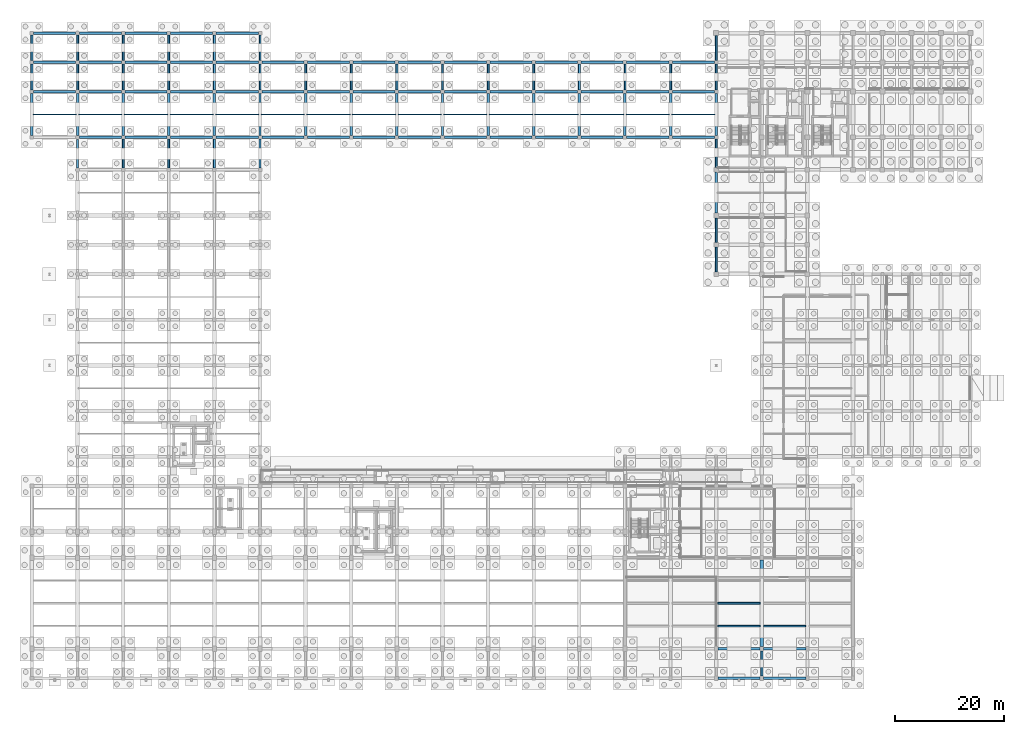
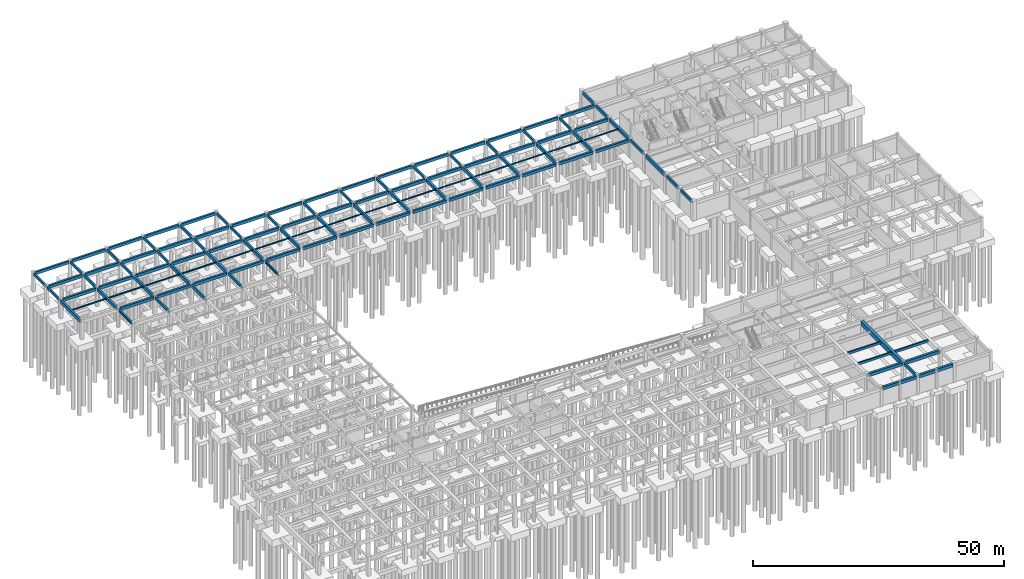
# One storey, part 29 of 49: 121 beams.
"""IFC4 building model written with IfcOpenShell, lengths in metres."""

from ifc_helpers import new_model, si_unit, direction, frame, origin, origin_2d, place, context, subcontext, project, spatial, rectangle, i_section, extrude, material, material_profile, profile_set, type_object, element, save


model = new_model("IFC4")

# Units and contexts
model_context = context("Model", 3, precision=1e-05, world=origin(), true_north=direction((0.0, 1.0)))
body_context = subcontext(model_context, "Body", "Model", "MODEL_VIEW")
ifc_project = project(units=[si_unit("LENGTHUNIT", "METRE"), si_unit("AREAUNIT", "SQUARE_METRE"), si_unit("VOLUMEUNIT", "CUBIC_METRE"), si_unit("PLANEANGLEUNIT", "RADIAN"), si_unit("MASSUNIT", "GRAM", prefix="KILO")], contexts=[model_context])

# Site, building, storey
site_placement = place(None, origin())
site = spatial("IfcSite", under=ifc_project, at=site_placement, CompositionType="ELEMENT")
building_placement = place(site_placement, origin())
building = spatial("IfcBuilding", under=site, at=building_placement, Name="Krzemoval Escarpment Law Courts", CompositionType="ELEMENT")
storey_placement = place(building_placement, frame((0.0, 0.0, -4.800048828125)))
storey = spatial("IfcBuildingStorey", under=building, at=storey_placement, Name="B1", CompositionType="ELEMENT", Elevation=-4.800048828125)

# Beams
ifc_material_1 = material(Name="Concrete C50/60", Category="concrete")
ifc_material_profile_1 = material_profile(ifc_material_1, rectangle(XDim=0.64990234375, YDim=1.14990234375, at=origin_2d()), Name="PTG 650x1150")
ifc_profile_set_1 = profile_set([ifc_material_profile_1], Name="Concrete C50/60")
beam_type_1 = type_object("IfcBeamType", Name="BM-PTG-650x1150", PredefinedType="BEAM", material=ifc_profile_set_1)
beam_1_placement = place(storey_placement, frame((134.39990234375, 5.800048828125, 3.925048828125), z_axis=(0.0, 1.0, 0.0), x_axis=(-1.0, 0.0, 0.0)))
element("IfcBeam", 1, at=beam_1_placement, inside=storey, type_object=beam_type_1, Name="Beam FG-B1-0395", PredefinedType="BEAM", context=body_context, shape_type="SweptSolid", body=[
    extrude(rectangle(XDim=0.64990234375, YDim=1.14990234375, at=origin_2d()), origin(), (0.0, 0.0, 1.0), 16.0),
])
ifc_material_2 = material(Name="Concrete C40/50", Category="concrete")
ifc_material_profile_2 = material_profile(ifc_material_2, rectangle(XDim=0.35009765625, YDim=0.64990234375, at=origin_2d()), Name="RCB 350x650")
ifc_profile_set_2 = profile_set([ifc_material_profile_2], Name="Concrete C40/50")
beam_type_2 = type_object("IfcBeamType", Name="BM-RC-350x650", PredefinedType="BEAM", material=ifc_profile_set_2)
for number, where, z_axis, x_axis, name in (
    (2, (0.0, 108.324951171875, 4.175048828125), (0.0, 1.0, 0.0), (-1.0, 0.0, 0.0), "Beam FG-B1-0244"),
    (3, (0.0, 113.72509765625, 4.175048828125), (0.0, 1.0, 0.0), (-1.0, 0.0, 0.0), "Beam FG-B1-0245"),
):
    element("IfcBeam", number, at=place(storey_placement, frame(where, z_axis=z_axis, x_axis=x_axis)), inside=storey, type_object=beam_type_2, Name=name, PredefinedType="BEAM", context=body_context, shape_type="SweptSolid", body=[
        extrude(rectangle(XDim=0.35009765625, YDim=0.64990234375, at=origin_2d()), origin(), (0.0, 0.0, 1.0), 4.75),
    ])
beam_2_placement = place(storey_placement, frame((8.39990234375, 108.375, 4.175048828125), z_axis=(0.0, 1.0, 0.0), x_axis=(-1.0, 0.0, 0.0)))
element("IfcBeam", 4, at=beam_2_placement, inside=storey, type_object=beam_type_2, Name="Beam FG-B1-0260", PredefinedType="BEAM", context=body_context, shape_type="SweptSolid", body=[
    extrude(rectangle(XDim=0.35009765625, YDim=0.64990234375, at=origin_2d()), origin(), (0.0, 0.0, 1.0), 4.64990234375),
])
beam_3_placement = place(storey_placement, frame((8.39990234375, 113.77490234375, 4.175048828125), z_axis=(0.0, 1.0, 0.0), x_axis=(-1.0, 0.0, 0.0)))
element("IfcBeam", 5, at=beam_3_placement, inside=storey, type_object=beam_type_2, Name="Beam FG-B1-0261", PredefinedType="BEAM", context=body_context, shape_type="SweptSolid", body=[
    extrude(rectangle(XDim=0.35009765625, YDim=0.64990234375, at=origin_2d()), origin(), (0.0, 0.0, 1.0), 4.650146484375),
])
beam_4_placement = place(storey_placement, frame((16.800048828125, 93.925048828125, 4.175048828125), z_axis=(0.0, 1.0, 0.0), x_axis=(-1.0, 0.0, 0.0)))
element("IfcBeam", 6, at=beam_4_placement, inside=storey, type_object=beam_type_2, Name="Beam FG-B1-0274", PredefinedType="BEAM", context=body_context, shape_type="SweptSolid", body=[
    extrude(rectangle(XDim=0.35009765625, YDim=0.64990234375, at=origin_2d()), origin(), (0.0, 0.0, 1.0), 5.349853515625),
])
for number, where, z_axis, x_axis, name in (
    (7, (16.800048828125, 108.324951171875, 4.175048828125), (0.0, 1.0, 0.0), (-1.0, 0.0, 0.0), "Beam FG-B1-0276"),
    (8, (16.800048828125, 113.72509765625, 4.175048828125), (0.0, 1.0, 0.0), (-1.0, 0.0, 0.0), "Beam FG-B1-0277"),
):
    element("IfcBeam", number, at=place(storey_placement, frame(where, z_axis=z_axis, x_axis=x_axis)), inside=storey, type_object=beam_type_2, Name=name, PredefinedType="BEAM", context=body_context, shape_type="SweptSolid", body=[
        extrude(rectangle(XDim=0.35009765625, YDim=0.64990234375, at=origin_2d()), origin(), (0.0, 0.0, 1.0), 4.75),
    ])
beam_5_placement = place(storey_placement, frame((25.199951171875, 93.925048828125, 4.175048828125), z_axis=(0.0, 1.0, 0.0), x_axis=(-1.0, 0.0, 0.0)))
element("IfcBeam", 9, at=beam_5_placement, inside=storey, type_object=beam_type_2, Name="Beam FG-B1-0290", PredefinedType="BEAM", context=body_context, shape_type="SweptSolid", body=[
    extrude(rectangle(XDim=0.35009765625, YDim=0.64990234375, at=origin_2d()), origin(), (0.0, 0.0, 1.0), 5.349853515625),
])
for number, where, z_axis, x_axis, name in (
    (10, (25.199951171875, 108.324951171875, 4.175048828125), (0.0, 1.0, 0.0), (-1.0, 0.0, 0.0), "Beam FG-B1-0292"),
    (11, (25.199951171875, 113.72509765625, 4.175048828125), (0.0, 1.0, 0.0), (-1.0, 0.0, 0.0), "Beam FG-B1-0293"),
):
    element("IfcBeam", number, at=place(storey_placement, frame(where, z_axis=z_axis, x_axis=x_axis)), inside=storey, type_object=beam_type_2, Name=name, PredefinedType="BEAM", context=body_context, shape_type="SweptSolid", body=[
        extrude(rectangle(XDim=0.35009765625, YDim=0.64990234375, at=origin_2d()), origin(), (0.0, 0.0, 1.0), 4.75),
    ])
beam_6_placement = place(storey_placement, frame((33.60009765625, 93.925048828125, 4.175048828125), z_axis=(0.0, 1.0, 0.0), x_axis=(-1.0, 0.0, 0.0)))
element("IfcBeam", 12, at=beam_6_placement, inside=storey, type_object=beam_type_2, Name="Beam FG-B1-0306", PredefinedType="BEAM", context=body_context, shape_type="SweptSolid", body=[
    extrude(rectangle(XDim=0.35009765625, YDim=0.64990234375, at=origin_2d()), origin(), (0.0, 0.0, 1.0), 5.349853515625),
])
for number, where, z_axis, x_axis, name in (
    (13, (33.60009765625, 108.324951171875, 4.175048828125), (0.0, 1.0, 0.0), (-1.0, 0.0, 0.0), "Beam FG-B1-0308"),
    (14, (33.60009765625, 113.72509765625, 4.175048828125), (0.0, 1.0, 0.0), (-1.0, 0.0, 0.0), "Beam FG-B1-0309"),
    (15, (42.0, 108.324951171875, 4.175048828125), (0.0, 1.0, 0.0), (-1.0, 0.0, 0.0), "Beam FG-B1-0324"),
    (16, (42.0, 113.72509765625, 4.175048828125), (0.0, 1.0, 0.0), (-1.0, 0.0, 0.0), "Beam FG-B1-0325"),
    (17, (50.39990234375, 108.324951171875, 4.175048828125), (0.0, 1.0, 0.0), (-1.0, 0.0, 0.0), "Beam FG-B1-0331"),
    (18, (58.800048828125, 108.324951171875, 4.175048828125), (0.0, 1.0, 0.0), (-1.0, 0.0, 0.0), "Beam FG-B1-0337"),
    (19, (67.199951171875, 108.324951171875, 4.175048828125), (0.0, 1.0, 0.0), (-1.0, 0.0, 0.0), "Beam FG-B1-0343"),
    (20, (75.60009765625, 108.324951171875, 4.175048828125), (0.0, 1.0, 0.0), (-1.0, 0.0, 0.0), "Beam FG-B1-0349"),
    (21, (84.0, 108.324951171875, 4.175048828125), (0.0, 1.0, 0.0), (-1.0, 0.0, 0.0), "Beam FG-B1-0355"),
    (22, (92.39990234375, 108.324951171875, 4.175048828125), (0.0, 1.0, 0.0), (-1.0, 0.0, 0.0), "Beam FG-B1-0361"),
    (23, (100.800048828125, 108.324951171875, 4.175048828125), (0.0, 1.0, 0.0), (-1.0, 0.0, 0.0), "Beam FG-B1-0367"),
    (24, (109.199951171875, 108.324951171875, 4.175048828125), (0.0, 1.0, 0.0), (-1.0, 0.0, 0.0), "Beam FG-B1-0374"),
    (25, (117.60009765625, 108.324951171875, 4.175048828125), (0.0, 1.0, 0.0), (-1.0, 0.0, 0.0), "Beam FG-B1-0381"),
):
    element("IfcBeam", number, at=place(storey_placement, frame(where, z_axis=z_axis, x_axis=x_axis)), inside=storey, type_object=beam_type_2, Name=name, PredefinedType="BEAM", context=body_context, shape_type="SweptSolid", body=[
        extrude(rectangle(XDim=0.35009765625, YDim=0.64990234375, at=origin_2d()), origin(), (0.0, 0.0, 1.0), 4.75),
    ])
beam_7_placement = place(storey_placement, frame((126.0, 74.824951171875, 4.175048828125), z_axis=(0.0, 1.0, 0.0), x_axis=(-1.0, 0.0, 0.0)))
element("IfcBeam", 26, at=beam_7_placement, inside=storey, type_object=beam_type_2, Name="Beam FG-B1-0387", PredefinedType="BEAM", context=body_context, shape_type="SweptSolid", body=[
    extrude(rectangle(XDim=0.35009765625, YDim=0.64990234375, at=origin_2d()), origin(), (0.0, 0.0, 1.0), 4.550048828125),
])
beam_8_placement = place(storey_placement, frame((126.0, 80.22509765625, 4.175048828125), z_axis=(0.0, 1.0, 0.0), x_axis=(-1.0, 0.0, 0.0)))
element("IfcBeam", 27, at=beam_8_placement, inside=storey, type_object=beam_type_2, Name="Beam FG-B1-0388", PredefinedType="BEAM", context=body_context, shape_type="SweptSolid", body=[
    extrude(rectangle(XDim=0.35009765625, YDim=0.64990234375, at=origin_2d()), origin(), (0.0, 0.0, 1.0), 4.5498046875),
])
beam_9_placement = place(storey_placement, frame((126.0, 94.02490234375, 4.175048828125), z_axis=(0.0, 1.0, 0.0), x_axis=(-1.0, 0.0, 0.0)))
element("IfcBeam", 28, at=beam_9_placement, inside=storey, type_object=beam_type_2, Name="Beam FG-B1-0390", PredefinedType="BEAM", context=body_context, shape_type="SweptSolid", body=[
    extrude(rectangle(XDim=0.35009765625, YDim=0.64990234375, at=origin_2d()), origin(), (0.0, 0.0, 1.0), 5.25),
])
beam_10_placement = place(storey_placement, frame((126.0, 108.324951171875, 4.175048828125), z_axis=(0.0, 1.0, 0.0), x_axis=(-1.0, 0.0, 0.0)))
element("IfcBeam", 29, at=beam_10_placement, inside=storey, type_object=beam_type_2, Name="Beam FG-B1-0392", PredefinedType="BEAM", context=body_context, shape_type="SweptSolid", body=[
    extrude(rectangle(XDim=0.35009765625, YDim=0.64990234375, at=origin_2d()), origin(), (0.0, 0.0, 1.0), 4.75),
])
beam_11_placement = place(storey_placement, frame((126.0, 113.72509765625, 4.175048828125), z_axis=(0.0, 1.0, 0.0), x_axis=(-1.0, 0.0, 0.0)))
element("IfcBeam", 30, at=beam_11_placement, inside=storey, type_object=beam_type_2, Name="Beam FG-B1-0393", PredefinedType="BEAM", context=body_context, shape_type="SweptSolid", body=[
    extrude(rectangle(XDim=0.35009765625, YDim=0.64990234375, at=origin_2d()), origin(), (0.0, 0.0, 1.0), 4.625),
])
beam_12_placement = place(storey_placement, frame((134.39990234375, 0.39990234375, 4.175048828125), z_axis=(0.0, 1.0, 0.0), x_axis=(-1.0, 0.0, 0.0)))
element("IfcBeam", 31, at=beam_12_placement, inside=storey, type_object=beam_type_2, Name="Beam FG-B1-0394", PredefinedType="BEAM", context=body_context, shape_type="SweptSolid", body=[
    extrude(rectangle(XDim=0.35009765625, YDim=0.64990234375, at=origin_2d()), origin(), (0.0, 0.0, 1.0), 4.60009765625),
])
ifc_material_3 = material(Name="Concrete C40/50", Category="concrete")
ifc_material_profile_3 = material_profile(ifc_material_3, rectangle(XDim=0.449951171875, YDim=0.699951171875, at=origin_2d()), Name="RCB 450x700")
ifc_profile_set_3 = profile_set([ifc_material_profile_3], Name="Concrete C40/50")
beam_type_3 = type_object("IfcBeamType", Name="BM-RC-450x700", PredefinedType="BEAM", material=ifc_profile_set_3)
beam_13_placement = place(storey_placement, frame((8.77490234375, 99.60009765625, 4.150146484375), z_axis=(1.0, 0.0, 0.0), x_axis=(0.0, 1.0, 0.0)))
element("IfcBeam", 32, at=beam_13_placement, inside=storey, type_object=beam_type_3, Name="Beam FG-B1-0168", PredefinedType="BEAM", context=body_context, shape_type="SweptSolid", body=[
    extrude(rectangle(XDim=0.449951171875, YDim=0.699951171875, at=origin_2d()), origin(), (0.0, 0.0, 1.0), 7.7001953125),
])
for number, where, z_axis, x_axis, name in (
    (33, (17.125, 99.60009765625, 4.150146484375), (1.0, 0.0, 0.0), (0.0, 1.0, 0.0), "Beam FG-B1-0169"),
    (34, (25.52490234375, 99.60009765625, 4.150146484375), (1.0, 0.0, 0.0), (0.0, 1.0, 0.0), "Beam FG-B1-0170"),
    (35, (33.925048828125, 99.60009765625, 4.150146484375), (1.0, 0.0, 0.0), (0.0, 1.0, 0.0), "Beam FG-B1-0171"),
    (36, (42.324951171875, 99.60009765625, 4.150146484375), (1.0, 0.0, 0.0), (0.0, 1.0, 0.0), "Beam FG-B1-0172"),
    (37, (50.72509765625, 99.60009765625, 4.150146484375), (1.0, 0.0, 0.0), (0.0, 1.0, 0.0), "Beam FG-B1-0173"),
    (38, (59.125, 99.60009765625, 4.150146484375), (1.0, 0.0, 0.0), (0.0, 1.0, 0.0), "Beam FG-B1-0174"),
    (39, (67.52490234375, 99.60009765625, 4.150146484375), (1.0, 0.0, 0.0), (0.0, 1.0, 0.0), "Beam FG-B1-0175"),
    (40, (75.925048828125, 99.60009765625, 4.150146484375), (1.0, 0.0, 0.0), (0.0, 1.0, 0.0), "Beam FG-B1-0176"),
    (41, (84.324951171875, 99.60009765625, 4.150146484375), (1.0, 0.0, 0.0), (0.0, 1.0, 0.0), "Beam FG-B1-0177"),
    (42, (92.72509765625, 99.60009765625, 4.150146484375), (1.0, 0.0, 0.0), (0.0, 1.0, 0.0), "Beam FG-B1-0178"),
    (43, (101.125, 99.60009765625, 4.150146484375), (1.0, 0.0, 0.0), (0.0, 1.0, 0.0), "Beam FG-B1-0179"),
    (44, (109.52490234375, 99.60009765625, 4.150146484375), (1.0, 0.0, 0.0), (0.0, 1.0, 0.0), "Beam FG-B1-0180"),
    (45, (117.925048828125, 99.60009765625, 4.150146484375), (1.0, 0.0, 0.0), (0.0, 1.0, 0.0), "Beam FG-B1-0181"),
):
    element("IfcBeam", number, at=place(storey_placement, frame(where, z_axis=z_axis, x_axis=x_axis)), inside=storey, type_object=beam_type_3, Name=name, PredefinedType="BEAM", context=body_context, shape_type="SweptSolid", body=[
        extrude(rectangle(XDim=0.449951171875, YDim=0.699951171875, at=origin_2d()), origin(), (0.0, 0.0, 1.0), 7.75),
    ])
beam_14_placement = place(storey_placement, frame((0.324951171875, 108.0, 4.150146484375), z_axis=(1.0, 0.0, 0.0), x_axis=(0.0, 1.0, 0.0)))
element("IfcBeam", 46, at=beam_14_placement, inside=storey, type_object=beam_type_3, Name="Beam FG-B1-0186", PredefinedType="BEAM", context=body_context, shape_type="SweptSolid", body=[
    extrude(rectangle(XDim=0.449951171875, YDim=0.699951171875, at=origin_2d()), origin(), (0.0, 0.0, 1.0), 7.699951171875),
])
beam_15_placement = place(storey_placement, frame((8.77490234375, 108.0, 4.150146484375), z_axis=(1.0, 0.0, 0.0), x_axis=(0.0, 1.0, 0.0)))
element("IfcBeam", 47, at=beam_15_placement, inside=storey, type_object=beam_type_3, Name="Beam FG-B1-0187", PredefinedType="BEAM", context=body_context, shape_type="SweptSolid", body=[
    extrude(rectangle(XDim=0.449951171875, YDim=0.699951171875, at=origin_2d()), origin(), (0.0, 0.0, 1.0), 7.7001953125),
])
for number, where, z_axis, x_axis, name in (
    (48, (17.125, 108.0, 4.150146484375), (1.0, 0.0, 0.0), (0.0, 1.0, 0.0), "Beam FG-B1-0188"),
    (49, (25.52490234375, 108.0, 4.150146484375), (1.0, 0.0, 0.0), (0.0, 1.0, 0.0), "Beam FG-B1-0189"),
    (50, (33.925048828125, 108.0, 4.150146484375), (1.0, 0.0, 0.0), (0.0, 1.0, 0.0), "Beam FG-B1-0190"),
    (51, (42.324951171875, 108.0, 4.150146484375), (1.0, 0.0, 0.0), (0.0, 1.0, 0.0), "Beam FG-B1-0191"),
    (52, (50.72509765625, 108.0, 4.150146484375), (1.0, 0.0, 0.0), (0.0, 1.0, 0.0), "Beam FG-B1-0192"),
    (53, (59.125, 108.0, 4.150146484375), (1.0, 0.0, 0.0), (0.0, 1.0, 0.0), "Beam FG-B1-0193"),
    (54, (67.52490234375, 108.0, 4.150146484375), (1.0, 0.0, 0.0), (0.0, 1.0, 0.0), "Beam FG-B1-0194"),
    (55, (75.925048828125, 108.0, 4.150146484375), (1.0, 0.0, 0.0), (0.0, 1.0, 0.0), "Beam FG-B1-0195"),
    (56, (84.324951171875, 108.0, 4.150146484375), (1.0, 0.0, 0.0), (0.0, 1.0, 0.0), "Beam FG-B1-0196"),
    (57, (92.72509765625, 108.0, 4.150146484375), (1.0, 0.0, 0.0), (0.0, 1.0, 0.0), "Beam FG-B1-0197"),
    (58, (101.125, 108.0, 4.150146484375), (1.0, 0.0, 0.0), (0.0, 1.0, 0.0), "Beam FG-B1-0198"),
    (59, (109.52490234375, 108.0, 4.150146484375), (1.0, 0.0, 0.0), (0.0, 1.0, 0.0), "Beam FG-B1-0199"),
    (60, (117.925048828125, 108.0, 4.150146484375), (1.0, 0.0, 0.0), (0.0, 1.0, 0.0), "Beam FG-B1-0200"),
):
    element("IfcBeam", number, at=place(storey_placement, frame(where, z_axis=z_axis, x_axis=x_axis)), inside=storey, type_object=beam_type_3, Name=name, PredefinedType="BEAM", context=body_context, shape_type="SweptSolid", body=[
        extrude(rectangle(XDim=0.449951171875, YDim=0.699951171875, at=origin_2d()), origin(), (0.0, 0.0, 1.0), 7.75),
    ])
beam_16_placement = place(storey_placement, frame((0.324951171875, 113.39990234375, 4.150146484375), z_axis=(1.0, 0.0, 0.0), x_axis=(0.0, 1.0, 0.0)))
element("IfcBeam", 61, at=beam_16_placement, inside=storey, type_object=beam_type_3, Name="Beam FG-B1-0205", PredefinedType="BEAM", context=body_context, shape_type="SweptSolid", body=[
    extrude(rectangle(XDim=0.449951171875, YDim=0.699951171875, at=origin_2d()), origin(), (0.0, 0.0, 1.0), 7.699951171875),
])
beam_17_placement = place(storey_placement, frame((8.77490234375, 113.39990234375, 4.150146484375), z_axis=(1.0, 0.0, 0.0), x_axis=(0.0, 1.0, 0.0)))
element("IfcBeam", 62, at=beam_17_placement, inside=storey, type_object=beam_type_3, Name="Beam FG-B1-0206", PredefinedType="BEAM", context=body_context, shape_type="SweptSolid", body=[
    extrude(rectangle(XDim=0.449951171875, YDim=0.699951171875, at=origin_2d()), origin(), (0.0, 0.0, 1.0), 7.7001953125),
])
for number, where, z_axis, x_axis, name in (
    (63, (17.125, 113.39990234375, 4.150146484375), (1.0, 0.0, 0.0), (0.0, 1.0, 0.0), "Beam FG-B1-0207"),
    (64, (25.52490234375, 113.39990234375, 4.150146484375), (1.0, 0.0, 0.0), (0.0, 1.0, 0.0), "Beam FG-B1-0208"),
    (65, (33.925048828125, 113.39990234375, 4.150146484375), (1.0, 0.0, 0.0), (0.0, 1.0, 0.0), "Beam FG-B1-0209"),
    (66, (42.324951171875, 113.39990234375, 4.150146484375), (1.0, 0.0, 0.0), (0.0, 1.0, 0.0), "Beam FG-B1-0210"),
    (67, (50.72509765625, 113.39990234375, 4.150146484375), (1.0, 0.0, 0.0), (0.0, 1.0, 0.0), "Beam FG-B1-0211"),
    (68, (59.125, 113.39990234375, 4.150146484375), (1.0, 0.0, 0.0), (0.0, 1.0, 0.0), "Beam FG-B1-0212"),
    (69, (67.52490234375, 113.39990234375, 4.150146484375), (1.0, 0.0, 0.0), (0.0, 1.0, 0.0), "Beam FG-B1-0213"),
    (70, (75.925048828125, 113.39990234375, 4.150146484375), (1.0, 0.0, 0.0), (0.0, 1.0, 0.0), "Beam FG-B1-0214"),
    (71, (84.324951171875, 113.39990234375, 4.150146484375), (1.0, 0.0, 0.0), (0.0, 1.0, 0.0), "Beam FG-B1-0215"),
    (72, (92.72509765625, 113.39990234375, 4.150146484375), (1.0, 0.0, 0.0), (0.0, 1.0, 0.0), "Beam FG-B1-0216"),
    (73, (101.125, 113.39990234375, 4.150146484375), (1.0, 0.0, 0.0), (0.0, 1.0, 0.0), "Beam FG-B1-0217"),
    (74, (109.52490234375, 113.39990234375, 4.150146484375), (1.0, 0.0, 0.0), (0.0, 1.0, 0.0), "Beam FG-B1-0218"),
    (75, (117.925048828125, 113.39990234375, 4.150146484375), (1.0, 0.0, 0.0), (0.0, 1.0, 0.0), "Beam FG-B1-0219"),
):
    element("IfcBeam", number, at=place(storey_placement, frame(where, z_axis=z_axis, x_axis=x_axis)), inside=storey, type_object=beam_type_3, Name=name, PredefinedType="BEAM", context=body_context, shape_type="SweptSolid", body=[
        extrude(rectangle(XDim=0.449951171875, YDim=0.699951171875, at=origin_2d()), origin(), (0.0, 0.0, 1.0), 7.75),
    ])
beam_18_placement = place(storey_placement, frame((0.324951171875, 118.800048828125, 4.150146484375), z_axis=(1.0, 0.0, 0.0), x_axis=(0.0, 1.0, 0.0)))
element("IfcBeam", 76, at=beam_18_placement, inside=storey, type_object=beam_type_3, Name="Beam FG-B1-0227", PredefinedType="BEAM", context=body_context, shape_type="SweptSolid", body=[
    extrude(rectangle(XDim=0.449951171875, YDim=0.699951171875, at=origin_2d()), origin(), (0.0, 0.0, 1.0), 7.699951171875),
])
beam_19_placement = place(storey_placement, frame((8.77490234375, 118.800048828125, 4.150146484375), z_axis=(1.0, 0.0, 0.0), x_axis=(0.0, 1.0, 0.0)))
element("IfcBeam", 77, at=beam_19_placement, inside=storey, type_object=beam_type_3, Name="Beam FG-B1-0228", PredefinedType="BEAM", context=body_context, shape_type="SweptSolid", body=[
    extrude(rectangle(XDim=0.449951171875, YDim=0.699951171875, at=origin_2d()), origin(), (0.0, 0.0, 1.0), 7.7001953125),
])
for number, where, z_axis, x_axis, name in (
    (78, (17.125, 118.800048828125, 4.150146484375), (1.0, 0.0, 0.0), (0.0, 1.0, 0.0), "Beam FG-B1-0229"),
    (79, (25.52490234375, 118.800048828125, 4.150146484375), (1.0, 0.0, 0.0), (0.0, 1.0, 0.0), "Beam FG-B1-0230"),
    (80, (33.925048828125, 118.800048828125, 4.150146484375), (1.0, 0.0, 0.0), (0.0, 1.0, 0.0), "Beam FG-B1-0231"),
):
    element("IfcBeam", number, at=place(storey_placement, frame(where, z_axis=z_axis, x_axis=x_axis)), inside=storey, type_object=beam_type_3, Name=name, PredefinedType="BEAM", context=body_context, shape_type="SweptSolid", body=[
        extrude(rectangle(XDim=0.449951171875, YDim=0.699951171875, at=origin_2d()), origin(), (0.0, 0.0, 1.0), 7.75),
    ])
ifc_material_4 = material(Name="Concrete C40/50", Category="concrete")
ifc_material_profile_4 = material_profile(ifc_material_4, rectangle(XDim=0.449951171875, YDim=0.800048828125, at=origin_2d()), Name="RCB 450x800")
ifc_profile_set_4 = profile_set([ifc_material_profile_4], Name="Concrete C40/50")
beam_type_4 = type_object("IfcBeamType", Name="BM-RC-450x800", PredefinedType="BEAM", material=ifc_profile_set_4)
beam_20_placement = place(storey_placement, frame((0.0, 99.925048828125, 4.10009765625), z_axis=(0.0, 1.0, 0.0), x_axis=(-1.0, 0.0, 0.0)))
element("IfcBeam", 81, at=beam_20_placement, inside=storey, type_object=beam_type_4, Name="Beam FG-B1-0243", PredefinedType="BEAM", context=body_context, shape_type="SweptSolid", body=[
    extrude(rectangle(XDim=0.449951171875, YDim=0.800048828125, at=origin_2d()), origin(), (0.0, 0.0, 1.0), 7.75),
])
beam_21_placement = place(storey_placement, frame((8.39990234375, 99.97509765625, 4.10009765625), z_axis=(0.0, 1.0, 0.0), x_axis=(-1.0, 0.0, 0.0)))
element("IfcBeam", 82, at=beam_21_placement, inside=storey, type_object=beam_type_4, Name="Beam FG-B1-0259", PredefinedType="BEAM", context=body_context, shape_type="SweptSolid", body=[
    extrude(rectangle(XDim=0.449951171875, YDim=0.800048828125, at=origin_2d()), origin(), (0.0, 0.0, 1.0), 7.64990234375),
])
for number, where, z_axis, x_axis, name in (
    (83, (16.800048828125, 99.925048828125, 4.10009765625), (0.0, 1.0, 0.0), (-1.0, 0.0, 0.0), "Beam FG-B1-0275"),
    (84, (25.199951171875, 99.925048828125, 4.10009765625), (0.0, 1.0, 0.0), (-1.0, 0.0, 0.0), "Beam FG-B1-0291"),
    (85, (33.60009765625, 99.925048828125, 4.10009765625), (0.0, 1.0, 0.0), (-1.0, 0.0, 0.0), "Beam FG-B1-0307"),
    (86, (42.0, 99.925048828125, 4.10009765625), (0.0, 1.0, 0.0), (-1.0, 0.0, 0.0), "Beam FG-B1-0323"),
    (87, (50.39990234375, 99.925048828125, 4.10009765625), (0.0, 1.0, 0.0), (-1.0, 0.0, 0.0), "Beam FG-B1-0330"),
    (88, (58.800048828125, 99.925048828125, 4.10009765625), (0.0, 1.0, 0.0), (-1.0, 0.0, 0.0), "Beam FG-B1-0336"),
    (89, (67.199951171875, 99.925048828125, 4.10009765625), (0.0, 1.0, 0.0), (-1.0, 0.0, 0.0), "Beam FG-B1-0342"),
    (90, (75.60009765625, 99.925048828125, 4.10009765625), (0.0, 1.0, 0.0), (-1.0, 0.0, 0.0), "Beam FG-B1-0348"),
    (91, (84.0, 99.925048828125, 4.10009765625), (0.0, 1.0, 0.0), (-1.0, 0.0, 0.0), "Beam FG-B1-0354"),
    (92, (92.39990234375, 99.925048828125, 4.10009765625), (0.0, 1.0, 0.0), (-1.0, 0.0, 0.0), "Beam FG-B1-0360"),
    (93, (100.800048828125, 99.925048828125, 4.10009765625), (0.0, 1.0, 0.0), (-1.0, 0.0, 0.0), "Beam FG-B1-0366"),
    (94, (109.199951171875, 99.925048828125, 4.10009765625), (0.0, 1.0, 0.0), (-1.0, 0.0, 0.0), "Beam FG-B1-0373"),
    (95, (117.60009765625, 99.925048828125, 4.10009765625), (0.0, 1.0, 0.0), (-1.0, 0.0, 0.0), "Beam FG-B1-0380"),
):
    element("IfcBeam", number, at=place(storey_placement, frame(where, z_axis=z_axis, x_axis=x_axis)), inside=storey, type_object=beam_type_4, Name=name, PredefinedType="BEAM", context=body_context, shape_type="SweptSolid", body=[
        extrude(rectangle(XDim=0.449951171875, YDim=0.800048828125, at=origin_2d()), origin(), (0.0, 0.0, 1.0), 7.75),
    ])
beam_22_placement = place(storey_placement, frame((126.0, 85.625, 4.10009765625), z_axis=(0.0, 1.0, 0.0), x_axis=(-1.0, 0.0, 0.0)))
element("IfcBeam", 96, at=beam_22_placement, inside=storey, type_object=beam_type_4, Name="Beam FG-B1-0389", PredefinedType="BEAM", context=body_context, shape_type="SweptSolid", body=[
    extrude(rectangle(XDim=0.449951171875, YDim=0.800048828125, at=origin_2d()), origin(), (0.0, 0.0, 1.0), 7.550048828125),
])
beam_23_placement = place(storey_placement, frame((126.0, 99.925048828125, 4.10009765625), z_axis=(0.0, 1.0, 0.0), x_axis=(-1.0, 0.0, 0.0)))
element("IfcBeam", 97, at=beam_23_placement, inside=storey, type_object=beam_type_4, Name="Beam FG-B1-0391", PredefinedType="BEAM", context=body_context, shape_type="SweptSolid", body=[
    extrude(rectangle(XDim=0.449951171875, YDim=0.800048828125, at=origin_2d()), origin(), (0.0, 0.0, 1.0), 7.75),
])
ifc_material_5 = material(Name="Concrete C40/50", Category="concrete")
ifc_material_profile_5 = material_profile(ifc_material_5, rectangle(XDim=0.5, YDim=0.75, at=origin_2d()), Name="RCB 500x750")
ifc_profile_set_5 = profile_set([ifc_material_profile_5], Name="Concrete C40/50")
beam_type_5 = type_object("IfcBeamType", Name="BM-RC-500x750", PredefinedType="BEAM", material=ifc_profile_set_5)
for number, where, z_axis, x_axis, name in (
    (98, (126.300048828125, 0.0, 4.125), (1.0, 0.0, 0.0), (0.0, 1.0, 0.0), "Beam FG-B1-0016"),
    (99, (134.699951171875, 0.0, 4.125), (1.0, 0.0, 0.0), (0.0, 1.0, 0.0), "Beam FG-B1-0017"),
    (100, (126.300048828125, 5.39990234375, 4.125), (1.0, 0.0, 0.0), (0.0, 1.0, 0.0), "Beam FG-B1-0034"),
    (101, (134.699951171875, 5.39990234375, 4.125), (1.0, 0.0, 0.0), (0.0, 1.0, 0.0), "Beam FG-B1-0035"),
):
    element("IfcBeam", number, at=place(storey_placement, frame(where, z_axis=z_axis, x_axis=x_axis)), inside=storey, type_object=beam_type_5, Name=name, PredefinedType="BEAM", context=body_context, shape_type="SweptSolid", body=[
        extrude(rectangle(XDim=0.5, YDim=0.75, at=origin_2d()), origin(), (0.0, 0.0, 1.0), 7.800048828125),
    ])
ifc_material_6 = material(Name="Concrete C40/50", Category="concrete")
ifc_material_profile_6 = material_profile(ifc_material_6, rectangle(XDim=0.300048828125, YDim=0.550048828125, at=origin_2d()), Name="RCB 300x550")
ifc_profile_set_6 = profile_set([ifc_material_profile_6], Name="Concrete C40/50")
beam_type_6 = type_object("IfcBeamType", Name="JST-RC-300x550", PredefinedType="JOIST", material=ifc_profile_set_6)
for number, where, z_axis, x_axis, name in (
    (102, (126.324951171875, 9.60009765625, 4.22509765625), (1.0, 0.0, 0.0), (0.0, 1.0, 0.0), "Secondary Joist FJ-B1-0565"),
    (103, (126.324951171875, 13.800048828125, 4.22509765625), (1.0, 0.0, 0.0), (0.0, 1.0, 0.0), "Secondary Joist FJ-B1-0566"),
    (104, (134.72509765625, 9.60009765625, 4.22509765625), (1.0, 0.0, 0.0), (0.0, 1.0, 0.0), "Secondary Joist FJ-B1-0570"),
):
    element("IfcBeam", number, at=place(storey_placement, frame(where, z_axis=z_axis, x_axis=x_axis)), inside=storey, type_object=beam_type_6, Name=name, PredefinedType="JOIST", context=body_context, shape_type="SweptSolid", body=[
        extrude(rectangle(XDim=0.300048828125, YDim=0.550048828125, at=origin_2d()), origin(), (0.0, 0.0, 1.0), 7.75),
    ])
ifc_material_7 = material(Name="Steel S355", Category="steel")
ifc_material_profile_7 = material_profile(ifc_material_7, i_section(OverallWidth=0.14990234375, OverallDepth=0.300048828125, WebThickness=0.007080078125, FlangeThickness=0.0107421875, at=origin_2d()), Name="IPE 300")
ifc_profile_set_7 = profile_set([ifc_material_profile_7], Name="Steel S355")
beam_type_7 = type_object("IfcBeamType", Name="JST-S355-IPE300", PredefinedType="JOIST", material=ifc_profile_set_7)
for number, where, z_axis, x_axis, name in (
    (105, (42.22509765625, 103.800048828125, 4.35009765625), (1.0, 0.0, 0.0), (0.0, 1.0, 0.0), "Secondary Joist FJ-B1-0519"),
    (106, (50.625, 103.800048828125, 4.35009765625), (1.0, 0.0, 0.0), (0.0, 1.0, 0.0), "Secondary Joist FJ-B1-0524"),
):
    element("IfcBeam", number, at=place(storey_placement, frame(where, z_axis=z_axis, x_axis=x_axis)), inside=storey, type_object=beam_type_7, Name=name, PredefinedType="JOIST", context=body_context, shape_type="SweptSolid", body=[
        extrude(i_section(OverallWidth=0.14990234375, OverallDepth=0.300048828125, WebThickness=0.007080078125, FlangeThickness=0.0107421875, at=origin_2d()), origin(), (0.0, 0.0, 1.0), 7.949951171875),
    ])
beam_24_placement = place(storey_placement, frame((59.02490234375, 103.800048828125, 4.35009765625), z_axis=(1.0, 0.0, 0.0), x_axis=(0.0, 1.0, 0.0)))
element("IfcBeam", 107, at=beam_24_placement, inside=storey, type_object=beam_type_7, Name="Secondary Joist FJ-B1-0529", PredefinedType="JOIST", context=body_context, shape_type="SweptSolid", body=[
    extrude(i_section(OverallWidth=0.14990234375, OverallDepth=0.300048828125, WebThickness=0.007080078125, FlangeThickness=0.0107421875, at=origin_2d()), origin(), (0.0, 0.0, 1.0), 7.9501953125),
])
for number, where, z_axis, x_axis, name in (
    (108, (67.425048828125, 103.800048828125, 4.35009765625), (1.0, 0.0, 0.0), (0.0, 1.0, 0.0), "Secondary Joist FJ-B1-0534"),
    (109, (75.824951171875, 103.800048828125, 4.35009765625), (1.0, 0.0, 0.0), (0.0, 1.0, 0.0), "Secondary Joist FJ-B1-0539"),
    (110, (84.22509765625, 103.800048828125, 4.35009765625), (1.0, 0.0, 0.0), (0.0, 1.0, 0.0), "Secondary Joist FJ-B1-0544"),
    (111, (92.625, 103.800048828125, 4.35009765625), (1.0, 0.0, 0.0), (0.0, 1.0, 0.0), "Secondary Joist FJ-B1-0549"),
):
    element("IfcBeam", number, at=place(storey_placement, frame(where, z_axis=z_axis, x_axis=x_axis)), inside=storey, type_object=beam_type_7, Name=name, PredefinedType="JOIST", context=body_context, shape_type="SweptSolid", body=[
        extrude(i_section(OverallWidth=0.14990234375, OverallDepth=0.300048828125, WebThickness=0.007080078125, FlangeThickness=0.0107421875, at=origin_2d()), origin(), (0.0, 0.0, 1.0), 7.949951171875),
    ])
beam_25_placement = place(storey_placement, frame((101.02490234375, 103.800048828125, 4.35009765625), z_axis=(1.0, 0.0, 0.0), x_axis=(0.0, 1.0, 0.0)))
element("IfcBeam", 112, at=beam_25_placement, inside=storey, type_object=beam_type_7, Name="Secondary Joist FJ-B1-0554", PredefinedType="JOIST", context=body_context, shape_type="SweptSolid", body=[
    extrude(i_section(OverallWidth=0.14990234375, OverallDepth=0.300048828125, WebThickness=0.007080078125, FlangeThickness=0.0107421875, at=origin_2d()), origin(), (0.0, 0.0, 1.0), 7.9501953125),
])
for number, where, z_axis, x_axis, name in (
    (113, (109.425048828125, 103.800048828125, 4.35009765625), (1.0, 0.0, 0.0), (0.0, 1.0, 0.0), "Secondary Joist FJ-B1-0559"),
    (114, (117.824951171875, 103.800048828125, 4.35009765625), (1.0, 0.0, 0.0), (0.0, 1.0, 0.0), "Secondary Joist FJ-B1-0564"),
):
    element("IfcBeam", number, at=place(storey_placement, frame(where, z_axis=z_axis, x_axis=x_axis)), inside=storey, type_object=beam_type_7, Name=name, PredefinedType="JOIST", context=body_context, shape_type="SweptSolid", body=[
        extrude(i_section(OverallWidth=0.14990234375, OverallDepth=0.300048828125, WebThickness=0.007080078125, FlangeThickness=0.0107421875, at=origin_2d()), origin(), (0.0, 0.0, 1.0), 7.949951171875),
    ])
ifc_material_8 = material(Name="Steel S355", Category="steel")
ifc_material_profile_8 = material_profile(ifc_material_8, i_section(OverallWidth=0.159912109375, OverallDepth=0.330078125, WebThickness=0.007568359375, FlangeThickness=0.011474609375, at=origin_2d()), Name="IPE 330")
ifc_profile_set_8 = profile_set([ifc_material_profile_8], Name="Steel S355")
beam_type_8 = type_object("IfcBeamType", Name="JST-S355-IPE330", PredefinedType="JOIST", material=ifc_profile_set_8)
for number, where, z_axis, x_axis, name in (
    (115, (0.22509765625, 103.800048828125, 4.3349609375), (1.0, 0.0, 0.0), (0.0, 1.0, 0.0), "Secondary Joist FJ-B1-0474"),
    (116, (8.625, 103.800048828125, 4.3349609375), (1.0, 0.0, 0.0), (0.0, 1.0, 0.0), "Secondary Joist FJ-B1-0484"),
):
    element("IfcBeam", number, at=place(storey_placement, frame(where, z_axis=z_axis, x_axis=x_axis)), inside=storey, type_object=beam_type_8, Name=name, PredefinedType="JOIST", context=body_context, shape_type="SweptSolid", body=[
        extrude(i_section(OverallWidth=0.159912109375, OverallDepth=0.330078125, WebThickness=0.007568359375, FlangeThickness=0.011474609375, at=origin_2d()), origin(), (0.0, 0.0, 1.0), 7.949951171875),
    ])
beam_26_placement = place(storey_placement, frame((17.02490234375, 103.800048828125, 4.3349609375), z_axis=(1.0, 0.0, 0.0), x_axis=(0.0, 1.0, 0.0)))
element("IfcBeam", 117, at=beam_26_placement, inside=storey, type_object=beam_type_8, Name="Secondary Joist FJ-B1-0494", PredefinedType="JOIST", context=body_context, shape_type="SweptSolid", body=[
    extrude(i_section(OverallWidth=0.159912109375, OverallDepth=0.330078125, WebThickness=0.007568359375, FlangeThickness=0.011474609375, at=origin_2d()), origin(), (0.0, 0.0, 1.0), 7.9501953125),
])
for number, where, z_axis, x_axis, name in (
    (118, (25.425048828125, 103.800048828125, 4.3349609375), (1.0, 0.0, 0.0), (0.0, 1.0, 0.0), "Secondary Joist FJ-B1-0504"),
    (119, (33.824951171875, 103.800048828125, 4.3349609375), (1.0, 0.0, 0.0), (0.0, 1.0, 0.0), "Secondary Joist FJ-B1-0514"),
):
    element("IfcBeam", number, at=place(storey_placement, frame(where, z_axis=z_axis, x_axis=x_axis)), inside=storey, type_object=beam_type_8, Name=name, PredefinedType="JOIST", context=body_context, shape_type="SweptSolid", body=[
        extrude(i_section(OverallWidth=0.159912109375, OverallDepth=0.330078125, WebThickness=0.007568359375, FlangeThickness=0.011474609375, at=origin_2d()), origin(), (0.0, 0.0, 1.0), 7.949951171875),
    ])
ifc_material_9 = material(Name="Steel S355", Category="steel")
ifc_material_profile_9 = material_profile(ifc_material_9, i_section(OverallWidth=0.300048828125, OverallDepth=0.60009765625, WebThickness=0.015380859375, FlangeThickness=0.030029296875, at=origin_2d()), Name="HEB 600")
ifc_profile_set_9 = profile_set([ifc_material_profile_9], Name="Steel S355")
beam_type_9 = type_object("IfcBeamType", Name="SPN-S355-HEB600", PredefinedType="SPANDREL", material=ifc_profile_set_9)
beam_27_placement = place(storey_placement, frame((8.39990234375, 93.97509765625, 4.199951171875), z_axis=(0.0, 1.0, 0.0), x_axis=(-1.0, 0.0, 0.0)))
element("IfcBeam", 120, at=beam_27_placement, inside=storey, type_object=beam_type_9, Name="Beam FG-B1-0258", PredefinedType="SPANDREL", context=body_context, shape_type="SweptSolid", body=[
    extrude(i_section(OverallWidth=0.300048828125, OverallDepth=0.60009765625, WebThickness=0.015380859375, FlangeThickness=0.030029296875, at=origin_2d()), origin(), (0.0, 0.0, 1.0), 5.25),
])
beam_28_placement = place(storey_placement, frame((42.0, 93.925048828125, 4.199951171875), z_axis=(0.0, 1.0, 0.0), x_axis=(-1.0, 0.0, 0.0)))
element("IfcBeam", 121, at=beam_28_placement, inside=storey, type_object=beam_type_9, Name="Beam FG-B1-0322", PredefinedType="SPANDREL", context=body_context, shape_type="SweptSolid", body=[
    extrude(i_section(OverallWidth=0.300048828125, OverallDepth=0.60009765625, WebThickness=0.015380859375, FlangeThickness=0.030029296875, at=origin_2d()), origin(), (0.0, 0.0, 1.0), 5.349853515625),
])

save(model, "model.ifc")
